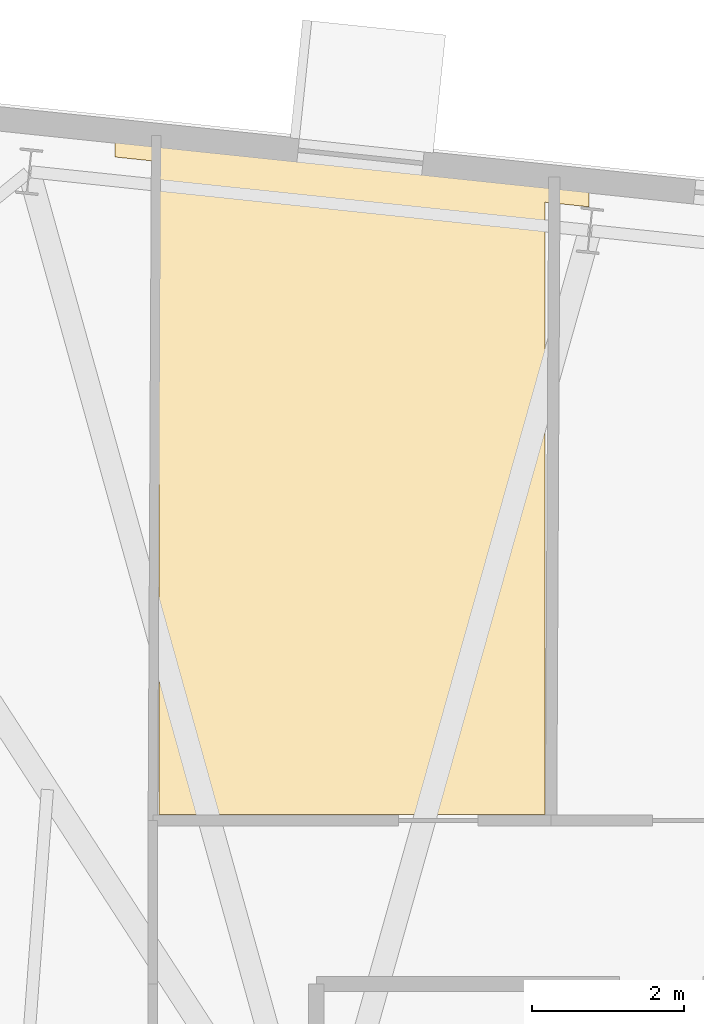
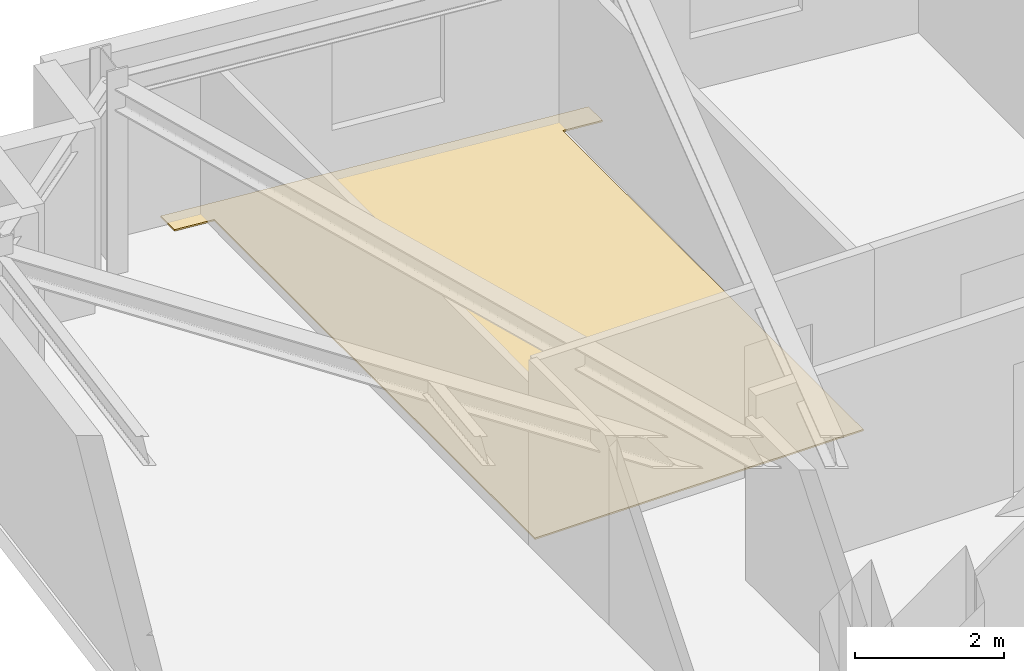
# One storey, part 13 of 13: 1 covering.
"""IFC4 building model written with IfcOpenShell, lengths in metres."""

from ifc_helpers import new_model, si_unit, direction, frame, origin, place, context, subcontext, project, spatial, polyline, outline, extrude, material, layer, layer_set, type_object, element, save


model = new_model("IFC4")

# Units and contexts
model_context = context("Model", 3, precision=1e-05, world=origin(), true_north=direction((0.0, 1.0)))
body_context = subcontext(model_context, "Body", "Model", "MODEL_VIEW")
ifc_project = project(units=[si_unit("LENGTHUNIT", "METRE"), si_unit("AREAUNIT", "SQUARE_METRE"), si_unit("VOLUMEUNIT", "CUBIC_METRE"), si_unit("PLANEANGLEUNIT", "RADIAN"), si_unit("MASSUNIT", "GRAM", prefix="KILO")], contexts=[model_context])

# Site, building, storey
site_placement = place(None, origin())
site = spatial("IfcSite", under=ifc_project, at=site_placement, CompositionType="ELEMENT")
building_placement = place(site_placement, origin())
building = spatial("IfcBuilding", under=site, at=building_placement, Name="Qobustan Lattice House", CompositionType="ELEMENT")
storey_placement = place(building_placement, frame((0.0, 0.0, 199.75)))
storey = spatial("IfcBuildingStorey", under=building, at=storey_placement, Name="L56", CompositionType="ELEMENT", Elevation=199.75)

# Covering
ifc_material = material(Name="Honed Absheron stone terrazzo flooring", Category="masonry")
ifc_layer = layer(ifc_material, 0.02490234375)
ifc_layer_set = layer_set([ifc_layer], Name="Honed Absheron stone terrazzo flooring")
covering_type = type_object("IfcCoveringType", Name="COV-TERRAZZO-FLR", PredefinedType="FLOORING", material=ifc_layer_set)
covering_placement = place(storey_placement, origin())
element("IfcCovering", 1, at=covering_placement, inside=storey, type_object=covering_type, Name="L56 Focus study room N1A stone terrazzo flooring", PredefinedType="FLOORING", context=body_context, shape_type="SweptSolid", body=[
    extrude(outline(polyline([(-21.449951171875, 19.377197265625), (-20.8701171875, 19.31640625), (-20.8701171875, 10.72998046875), (-15.79248046875, 10.72998046875), (-15.79248046875, 18.78271484375), (-15.21240234375, 18.7216796875), (-15.21240234375, 19.09375), (-21.449951171875, 19.749267578125), (-21.449951171875, 19.377197265625)])), origin(), (0.0, 0.0, 1.0), 0.02490234375),
])

save(model, "model.ifc")
